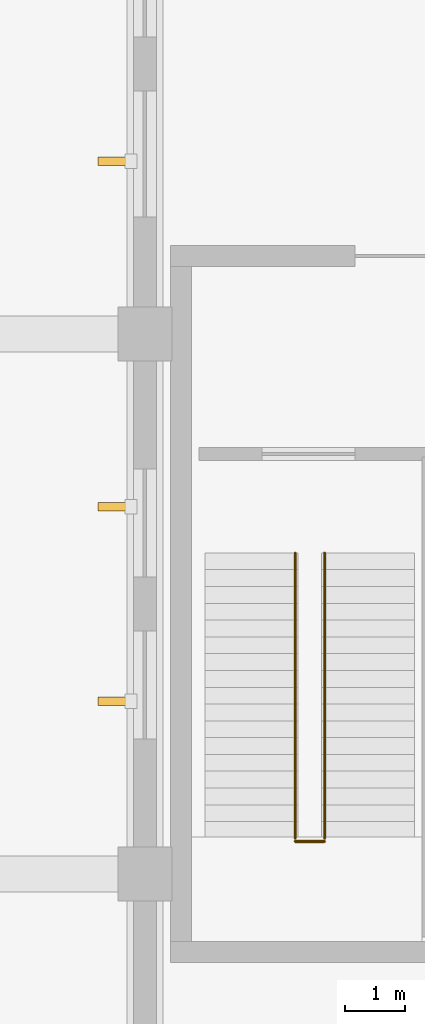
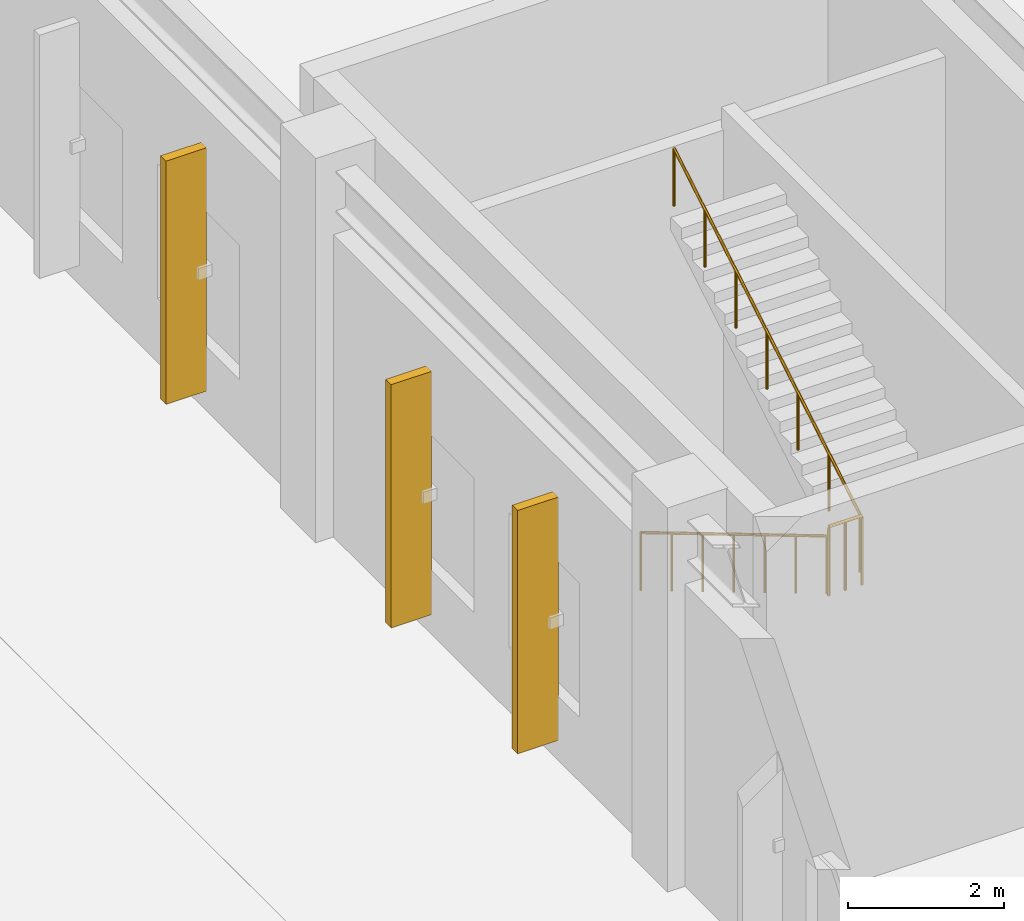
# One storey, part 78 of 91: 3 railings, 3 shading devices.
"""IFC4 building model written with IfcOpenShell, lengths in metres."""

import ifcopenshell
import ifcopenshell.guid

model = None  # the IFC model being written
_history = None  # IfcOwnerHistory: only IFC2X3 demands one
_inside = {}  # id of a spatial element -> (the spatial element, [elements in it])
_under = {}  # id of a project, library or spatial element -> (it, [spatial elements below it])
_declared = {}  # id of a project -> (the project, [libraries it declares])
_typed = {}  # id of a type object -> (the type object, [elements of that type])
_made_of = {}  # id of a material, layer set ... -> (it, [elements and type objects made of it])


def new_model(schema):
    """Start an empty IFC model of exactly this schema.

    Asked for "IFC4X3", IfcOpenShell would pick the latest addendum, in which some entities
    have other attributes; the version numbers below select the first issue.
    IFC2X3 requires an IfcOwnerHistory on every rooted entity: one is made here for all.
    """
    global model, _history
    if schema == "IFC4X3":
        model = ifcopenshell.file(schema_version=(4, 3, 0, 0))
    else:
        model = ifcopenshell.file(schema=schema)
    _inside.clear()
    _under.clear()
    _declared.clear()
    _typed.clear()
    _made_of.clear()
    _history = None
    if model.schema == "IFC2X3":
        org = make("IfcOrganization", Name="unknown")
        user = make(
            "IfcPersonAndOrganization",
            ThePerson=make("IfcPerson", FamilyName="unknown"),
            TheOrganization=org,
        )
        app = make(
            "IfcApplication",
            ApplicationDeveloper=org,
            Version="unknown",
            ApplicationFullName="unknown",
            ApplicationIdentifier="unknown",
        )
        _history = make(
            "IfcOwnerHistory",
            OwningUser=user,
            OwningApplication=app,
            ChangeAction="ADDED",
            CreationDate=0,
        )
    return model


def make(cls, **values):
    """One entity of the class cls with the attributes given. An attribute that is None is left unset."""
    return model.create_entity(
        cls, **{name: value for name, value in values.items() if value is not None}
    )


def rooted(cls, **values):
    """An entity with a GlobalId (a new one), such as an element, a storey or a relation."""
    return make(cls, GlobalId=ifcopenshell.guid.new(), OwnerHistory=_history, **values)


def si_unit(unit_type, name, prefix=None):
    """IfcSIUnit, for example si_unit("LENGTHUNIT", "METRE", prefix="MILLI")."""
    return make("IfcSIUnit", UnitType=unit_type, Prefix=prefix, Name=name)


def assignment(units):
    """IfcUnitAssignment: the units of a project."""
    return None if units is None else make("IfcUnitAssignment", Units=units)


def point(xyz):
    """IfcCartesianPoint."""
    return None if xyz is None else make("IfcCartesianPoint", Coordinates=xyz)


def direction(xyz):
    """IfcDirection."""
    return None if xyz is None else make("IfcDirection", DirectionRatios=xyz)


def frame(location, z_axis=None, x_axis=None):
    """IfcAxis2Placement3D, a coordinate frame: its origin and axes. An axis left out is left unset."""
    return make(
        "IfcAxis2Placement3D",
        Location=point(location),
        Axis=direction(z_axis),
        RefDirection=direction(x_axis),
    )


def frame_2d(location, x_axis=None):
    """IfcAxis2Placement2D, a coordinate frame in the plane: its origin and x axis."""
    return make(
        "IfcAxis2Placement2D", Location=point(location), RefDirection=direction(x_axis)
    )


def origin():
    """The frame at (0, 0, 0) with its axes left unset."""
    return frame((0.0, 0.0, 0.0))


def origin_2d():
    """The frame at (0, 0) in the plane with its x axis left unset."""
    return frame_2d((0.0, 0.0))


def place(relative_to, where):
    """IfcLocalPlacement: puts the frame where relative to a parent placement (None: the world)."""
    return make(
        "IfcLocalPlacement", PlacementRelTo=relative_to, RelativePlacement=where
    )


def context(
    kind, dimensions, precision=None, world=None, true_north=None, identifier=None
):
    """IfcGeometricRepresentationContext, for example the 3D "Model" context."""
    return make(
        "IfcGeometricRepresentationContext",
        ContextIdentifier=identifier,
        ContextType=kind,
        CoordinateSpaceDimension=dimensions,
        Precision=precision,
        WorldCoordinateSystem=world,
        TrueNorth=true_north,
    )


def subcontext(parent, identifier, kind, view, scale=None):
    """IfcGeometricRepresentationSubContext, for example "Body" below "Model"."""
    return make(
        "IfcGeometricRepresentationSubContext",
        ContextIdentifier=identifier,
        ContextType=kind,
        ParentContext=parent,
        TargetScale=scale,
        TargetView=view,
    )


def project(units=None, contexts=None):
    """IfcProject with its units and contexts."""
    return rooted(
        "IfcProject",
        Name="project",
        RepresentationContexts=contexts,
        UnitsInContext=assignment(units),
    )


def spatial(cls, under=None, at=None, **own):
    """A site, building, storey or space (cls), placed at a placement, below another one or the project."""
    s = rooted(cls, ObjectPlacement=at, **own)
    if under is not None:
        _under.setdefault(under.id(), (under, []))[1].append(s)
    return s


def profile(cls, at=None, kind="AREA", **sizes):
    """A parametric profile (cls). Its sizes go by their IFC names, for example OverallWidth=200.0."""
    return make(cls, ProfileType=kind, Position=at, **sizes)


def rectangle(**sizes):
    """IfcRectangleProfileDef."""
    return profile("IfcRectangleProfileDef", **sizes)


def circle(**sizes):
    """IfcCircleProfileDef."""
    return profile("IfcCircleProfileDef", **sizes)


def extrude(swept, where, along, depth):
    """IfcExtrudedAreaSolid: the profile swept, set in the frame where, extruded along a direction by depth."""
    return make(
        "IfcExtrudedAreaSolid",
        SweptArea=swept,
        Position=where,
        ExtrudedDirection=direction(along),
        Depth=depth,
    )


def shape(context_of_items, identifier, shape_type, items):
    """IfcShapeRepresentation: the items that make up one representation, for example the "Body"."""
    return make(
        "IfcShapeRepresentation",
        ContextOfItems=context_of_items,
        RepresentationIdentifier=identifier,
        RepresentationType=shape_type,
        Items=items,
    )


def material(Name=None, Category=None):
    """IfcMaterial."""
    return make("IfcMaterial", Name=Name, Category=Category)


def layer(
    of_material, thickness, ventilated=None, Name=None, Category=None, Priority=None
):
    """IfcMaterialLayer: one layer of a wall or slab, of a material (None: an air gap)."""
    return make(
        "IfcMaterialLayer",
        Material=of_material,
        LayerThickness=thickness,
        IsVentilated=ventilated,
        Name=Name,
        Category=Category,
        Priority=Priority,
    )


def layer_set(layers, Name=None):
    """IfcMaterialLayerSet."""
    return make("IfcMaterialLayerSet", MaterialLayers=layers, LayerSetName=Name)


def made_of(thing, what):
    """Note that an element or type object is made of a material, layer set ...; save() writes the relation."""
    if what is not None:
        _made_of.setdefault(what.id(), (what, []))[1].append(thing)
    return thing


def type_object(cls, material=None, **own):
    """A type object (cls), such as IfcWallType, which elements share."""
    return made_of(rooted(cls, **own), material)


def element(
    cls,
    number,
    at=None,
    inside=None,
    cuts=None,
    type_object=None,
    material=None,
    context=None,
    identifier="Body",
    shape_type=None,
    held_by="IfcProductDefinitionShape",
    body=None,
    shapes=None,
    **own,
):
    """One element of the class cls, such as IfcWall. Its Tag is "e" and its number.

    at: its placement. inside: the storey or other place that contains it. cuts: it is an
    opening in that element (IfcRelVoidsElement). A single representation is given by context,
    identifier, shape_type and body (its items); several are given by shapes. held_by: the class
    of the entity that holds the representations. save() writes the other relations.
    """
    e = rooted(cls, Tag="e%d" % number, ObjectPlacement=at, **own)
    if body is not None:
        shapes = [shape(context, identifier, shape_type, body)]
    if shapes is not None:
        e.Representation = make(held_by, Representations=shapes)
    if inside is not None:
        _inside.setdefault(inside.id(), (inside, []))[1].append(e)
    if cuts is not None:
        rooted(
            "IfcRelVoidsElement", RelatingBuildingElement=cuts, RelatedOpeningElement=e
        )
    if type_object is not None:
        _typed.setdefault(type_object.id(), (type_object, []))[1].append(e)
    return made_of(e, material)


def aggregate(whole, parts):
    """IfcRelAggregates: a whole, such as a stair, and the parts it consists of."""
    return rooted("IfcRelAggregates", RelatingObject=whole, RelatedObjects=parts)


def save(model, path):
    """Write the relations noted so far, then the file.

    IfcRelAggregates (storeys below a building ...), IfcRelContainedInSpatialStructure (elements
    in a storey), IfcRelDefinesByType, IfcRelAssociatesMaterial and IfcRelDeclares: one each for
    every whole, place, type object, material and project.
    """
    for whole, parts in _under.values():
        aggregate(whole, parts)
    for where, things in _inside.values():
        rooted(
            "IfcRelContainedInSpatialStructure",
            RelatedElements=things,
            RelatingStructure=where,
        )
    for kind, things in _typed.values():
        rooted("IfcRelDefinesByType", RelatedObjects=things, RelatingType=kind)
    for what, things in _made_of.values():
        rooted("IfcRelAssociatesMaterial", RelatedObjects=things, RelatingMaterial=what)
    for by, libraries in _declared.values():
        rooted("IfcRelDeclares", RelatingContext=by, RelatedDefinitions=libraries)
    model.write(path)


model = new_model("IFC4")

# Units and contexts
model_context = context("Model", 3, precision=1e-05, world=origin(), true_north=direction((0.0, 1.0)))
body_context = subcontext(model_context, "Body", "Model", "MODEL_VIEW")
ifc_project = project(units=[si_unit("LENGTHUNIT", "METRE"), si_unit("AREAUNIT", "SQUARE_METRE"), si_unit("VOLUMEUNIT", "CUBIC_METRE"), si_unit("PLANEANGLEUNIT", "RADIAN"), si_unit("MASSUNIT", "GRAM", prefix="KILO")], contexts=[model_context])

# Site, building, storey
site_placement = place(None, origin())
site = spatial("IfcSite", under=ifc_project, at=site_placement, CompositionType="ELEMENT")
building_placement = place(site_placement, origin())
building = spatial("IfcBuilding", under=site, at=building_placement, Name="Dornveld Trade and Exhibition Forum", CompositionType="ELEMENT")
storey_placement = place(building_placement, origin())
storey = spatial("IfcBuildingStorey", under=building, at=storey_placement, Name="L00", CompositionType="ELEMENT", Elevation=0.0)

# Railings
ifc_material_1 = material(Name="Brushed stainless steel handrail", Category="steel")
railing_type_1 = type_object("IfcRailingType", Name="RL-HAND-920", PredefinedType="HANDRAIL", material=ifc_material_1)
railing_1_placement = place(storey_placement, frame((20.5048828125, 50.35009765625, 0.166748046875)))
element("IfcRailing", 1, at=railing_1_placement, inside=storey, type_object=railing_type_1, Name="ST-09-L00 flight 1 handrail", PredefinedType="HANDRAIL", context=body_context, shape_type="SweptSolid", body=[
    extrude(circle(Radius=0.02099609375, at=origin_2d()), frame((0.0, 0.0, 0.89892578125), z_axis=(0.0, -0.859299802514, 0.511472237174), x_axis=(1.0, 0.0, 0.0)), (0.0, 0.0, 1.0), 5.539306640625),
    extrude(circle(Radius=0.01806640625, at=origin_2d()), origin(), (0.0, 0.0, 1.0), 0.8779296875),
    extrude(circle(Radius=0.01806640625, at=origin_2d()), frame((0.0, -0.79345703125, 0.47216796875)), (0.0, 0.0, 1.0), 0.8779296875),
    extrude(circle(Radius=0.01806640625, at=origin_2d()), frame((0.0, -1.586669921875, 0.9443359375)), (0.0, 0.0, 1.0), 0.8779296875),
    extrude(circle(Radius=0.01806640625, at=origin_2d()), frame((0.0, -2.3798828125, 1.41650390625)), (0.0, 0.0, 1.0), 0.8779296875),
    extrude(circle(Radius=0.01806640625, at=origin_2d()), frame((0.0, -3.17333984375, 1.888916015625)), (0.0, 0.0, 1.0), 0.8779296875),
    extrude(circle(Radius=0.01806640625, at=origin_2d()), frame((0.0, -3.966796875, 2.361083984375)), (0.0, 0.0, 1.0), 0.8779296875),
    extrude(circle(Radius=0.01806640625, at=origin_2d()), frame((0.0, -4.760009765625, 2.833251953125)), (0.0, 0.0, 1.0), 0.8779296875),
])
railing_2_placement = place(storey_placement, frame((20.9951171875, 45.590087890625, 3.166748046875)))
element("IfcRailing", 2, at=railing_2_placement, inside=storey, type_object=railing_type_1, Name="ST-09-L00 flight 2 handrail", PredefinedType="HANDRAIL", context=body_context, shape_type="SweptSolid", body=[
    extrude(circle(Radius=0.02099609375, at=origin_2d()), frame((0.0, 0.0, 0.89892578125), z_axis=(0.0, 0.859299802514, 0.511472237174), x_axis=(-1.0, 0.0, 0.0)), (0.0, 0.0, 1.0), 5.539306640625),
    extrude(circle(Radius=0.01806640625, at=origin_2d()), origin(), (0.0, 0.0, 1.0), 0.8779296875),
    extrude(circle(Radius=0.01806640625, at=origin_2d()), frame((0.0, 0.79345703125, 0.47216796875)), (0.0, 0.0, 1.0), 0.8779296875),
    extrude(circle(Radius=0.01806640625, at=origin_2d()), frame((0.0, 1.586669921875, 0.9443359375)), (0.0, 0.0, 1.0), 0.8779296875),
    extrude(circle(Radius=0.01806640625, at=origin_2d()), frame((0.0, 2.3798828125, 1.41650390625)), (0.0, 0.0, 1.0), 0.8779296875),
    extrude(circle(Radius=0.01806640625, at=origin_2d()), frame((0.0, 3.17333984375, 1.888916015625)), (0.0, 0.0, 1.0), 0.8779296875),
    extrude(circle(Radius=0.01806640625, at=origin_2d()), frame((0.0, 3.966796875, 2.361083984375)), (0.0, 0.0, 1.0), 0.8779296875),
    extrude(circle(Radius=0.01806640625, at=origin_2d()), frame((0.0, 4.760009765625, 2.833251953125)), (0.0, 0.0, 1.0), 0.8779296875),
])
ifc_material_2 = material(Name="Painted steel S355J2 stair-well guard", Category="steel")
railing_type_2 = type_object("IfcRailingType", Name="RL-WELL-110", PredefinedType="GUARDRAIL", material=ifc_material_2)
railing_3_placement = place(storey_placement, frame((20.5048828125, 45.5400390625, 3.0)))
element("IfcRailing", 3, at=railing_3_placement, inside=storey, type_object=railing_type_2, Name="ST-09-L00 half-landing well guard", PredefinedType="GUARDRAIL", context=body_context, shape_type="SweptSolid", body=[
    extrude(circle(Radius=0.02392578125, at=origin_2d()), frame((0.0, 0.0, 1.076171875), z_axis=(1.0, 0.0, 0.0), x_axis=(0.0, 1.0, 0.0)), (0.0, 0.0, 1.0), 0.490234375),
    extrude(circle(Radius=0.02001953125, at=origin_2d()), origin(), (0.0, 0.0, 1.0), 1.052001953125),
    extrude(circle(Radius=0.02001953125, at=origin_2d()), frame((0.2451171875, 0.0, 0.0)), (0.0, 0.0, 1.0), 1.052001953125),
    extrude(circle(Radius=0.02001953125, at=origin_2d()), frame((0.490234375, 0.0, 0.0)), (0.0, 0.0, 1.0), 1.052001953125),
])

# Shading devices
ifc_material_3 = material(Name="Precast concrete C50/60", Category="concrete")
ifc_layer = layer(ifc_material_3, 0.139892578125)
ifc_layer_set = layer_set([ifc_layer], Name="Precast concrete C50/60")
shading_device_type = type_object("IfcShadingDeviceType", Name="SHD-FIN-600", PredefinedType="JALOUSIE", material=ifc_layer_set)
for number, where, z_axis, x_axis, name in (
    (4, (17.52001953125, 51.1201171875, 0.2998046875), (0.0, 0.0, 1.0), (0.0, -1.0, 0.0), "L00 vertical solar brise-soleil fin 27"),
    (5, (17.52001953125, 47.8798828125, 0.2998046875), (0.0, 0.0, 1.0), (0.0, -1.0, 0.0), "L00 vertical solar brise-soleil fin 28"),
    (6, (17.52001953125, 56.8798828125, 0.2998046875), (0.0, 0.0, 1.0), (0.0, -1.0, 0.0), "L00 vertical solar brise-soleil fin 36"),
):
    element("IfcShadingDevice", number, at=place(storey_placement, frame(where, z_axis=z_axis, x_axis=x_axis)), inside=storey, type_object=shading_device_type, Name=name, PredefinedType="JALOUSIE", context=body_context, shape_type="SweptSolid", body=[
        extrude(rectangle(XDim=0.139892578125, YDim=0.60009765625, at=origin_2d()), origin(), (0.0, 0.0, 1.0), 3.800048828125),
    ])

save(model, "model.ifc")
